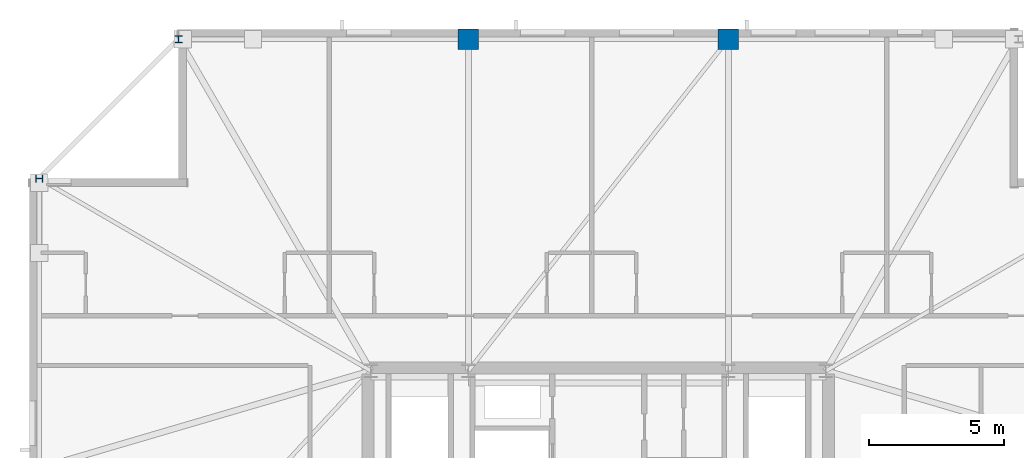
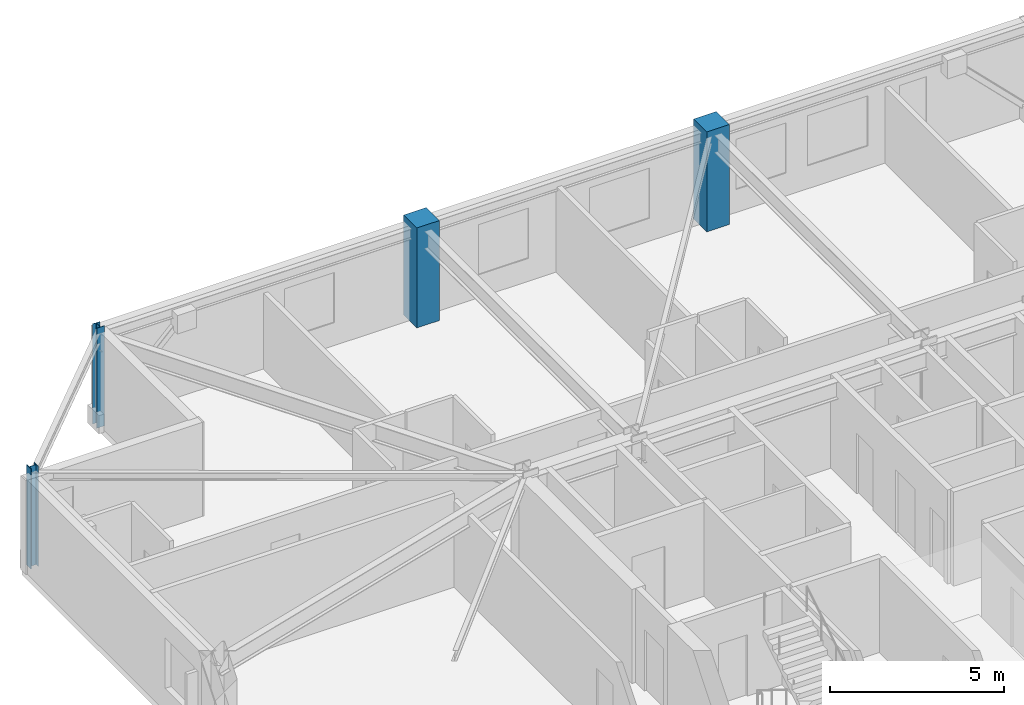
# One storey, part 4 of 15: 4 columns.
"""IFC4 building model written with IfcOpenShell, lengths in metres."""

from ifc_helpers import new_model, si_unit, direction, frame, origin, origin_2d, place, context, subcontext, project, spatial, rectangle, i_section, extrude, material, material_profile, profile_set, type_object, element, save


model = new_model("IFC4")

# Units and contexts
model_context = context("Model", 3, precision=1e-05, world=origin(), true_north=direction((0.0, 1.0)))
body_context = subcontext(model_context, "Body", "Model", "MODEL_VIEW")
ifc_project = project(units=[si_unit("LENGTHUNIT", "METRE"), si_unit("AREAUNIT", "SQUARE_METRE"), si_unit("VOLUMEUNIT", "CUBIC_METRE"), si_unit("PLANEANGLEUNIT", "RADIAN"), si_unit("MASSUNIT", "GRAM", prefix="KILO")], contexts=[model_context])

# Site, building, storey
site_placement = place(None, origin())
site = spatial("IfcSite", under=ifc_project, at=site_placement, CompositionType="ELEMENT")
building_placement = place(site_placement, origin())
building = spatial("IfcBuilding", under=site, at=building_placement, Name="Cairnveth Concourse Tower", CompositionType="ELEMENT")
storey_placement = place(building_placement, frame((0.0, 0.0, 305.0)))
storey = spatial("IfcBuildingStorey", under=building, at=storey_placement, Name="L84", CompositionType="ELEMENT", Elevation=305.0)

# Columns
ifc_material_1 = material(Name="Concrete N50 (50 MPa)", Category="concrete")
ifc_material_profile_1 = material_profile(ifc_material_1, rectangle(XDim=0.75, YDim=0.75, at=origin_2d()), Name="RC-COL-750x750")
ifc_profile_set_1 = profile_set([ifc_material_profile_1], Name="Concrete N50 (50 MPa)")
column_type_1 = type_object("IfcColumnType", Name="PERIMETER PIER COLUMN 750X750", PredefinedType="COLUMN", material=ifc_profile_set_1)
for number, where, z_axis, x_axis, name in (
    (1, (56.800048828125, 59.64990234375, 0.0), (0.0, 0.0, 1.0), (1.0, 0.0, 0.0), "Column P-N2 L84"),
    (2, (47.199951171875, 59.64990234375, 0.0), (0.0, 0.0, 1.0), (1.0, 0.0, 0.0), "Column P-N3 L84"),
):
    element("IfcColumn", number, at=place(storey_placement, frame(where, z_axis=z_axis, x_axis=x_axis)), inside=storey, type_object=column_type_1, Name=name, PredefinedType="COLUMN", context=body_context, shape_type="SweptSolid", body=[
        extrude(rectangle(XDim=0.75, YDim=0.75, at=origin_2d()), origin(), (0.0, 0.0, 1.0), 3.5),
    ])
ifc_material_2 = material(Name="Steel Grade 350", Category="steel")
ifc_material_profile_2 = material_profile(ifc_material_2, i_section(OverallWidth=0.25390625, OverallDepth=0.25390625, WebThickness=0.008544921875, FlangeThickness=0.01416015625, FilletRadius=0.012939453125, at=origin_2d()), Name="250UC72.9")
ifc_profile_set_2 = profile_set([ifc_material_profile_2], Name="Steel Grade 350")
column_type_2 = type_object("IfcColumnType", Name="UNIVERSAL STEEL COLUMN 250UC72.9", PredefinedType="COLUMN", material=ifc_profile_set_2)
for number, where, z_axis, x_axis, name in (
    (3, (36.5, 59.64990234375, 0.0), (0.0, 0.0, 1.0), (1.0, 0.0, 0.0), "Column P-N4 L84"),
    (4, (31.35009765625, 54.5, 0.0), (0.0, 0.0, 1.0), (0.0, 1.0, 0.0), "Column P-W1 L84"),
):
    element("IfcColumn", number, at=place(storey_placement, frame(where, z_axis=z_axis, x_axis=x_axis)), inside=storey, type_object=column_type_2, Name=name, PredefinedType="COLUMN", context=body_context, shape_type="SweptSolid", body=[
        extrude(i_section(OverallWidth=0.25390625, OverallDepth=0.25390625, WebThickness=0.008544921875, FlangeThickness=0.01416015625, FilletRadius=0.012939453125, at=origin_2d()), origin(), (0.0, 0.0, 1.0), 3.5),
    ])

save(model, "model.ifc")
